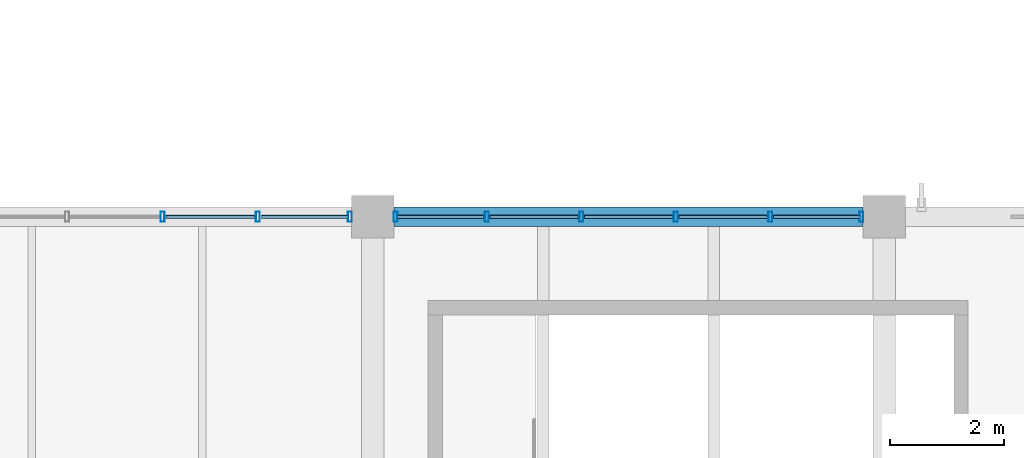
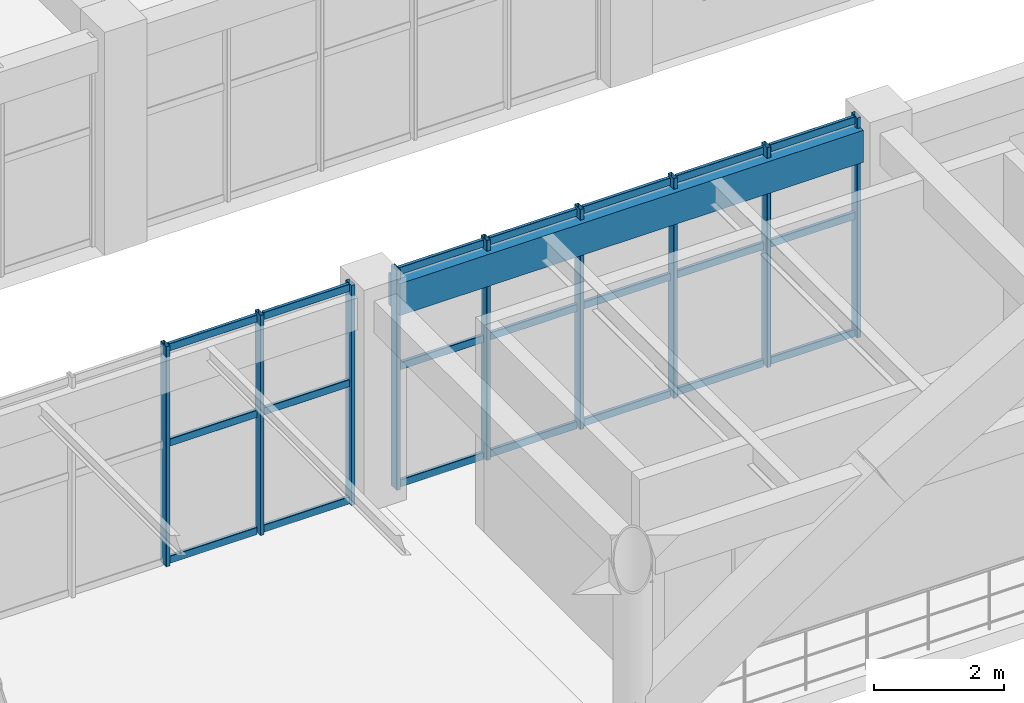
# One storey, part 59 of 148: 30 members, 1 beam, 2 elements without a shape of their own.
"""IFC4 building model written with IfcOpenShell, lengths in metres."""

import ifcopenshell
import ifcopenshell.guid

model = None  # the IFC model being written
_history = None  # IfcOwnerHistory: only IFC2X3 demands one
_inside = {}  # id of a spatial element -> (the spatial element, [elements in it])
_under = {}  # id of a project, library or spatial element -> (it, [spatial elements below it])
_declared = {}  # id of a project -> (the project, [libraries it declares])
_typed = {}  # id of a type object -> (the type object, [elements of that type])
_made_of = {}  # id of a material, layer set ... -> (it, [elements and type objects made of it])


def new_model(schema):
    """Start an empty IFC model of exactly this schema.

    Asked for "IFC4X3", IfcOpenShell would pick the latest addendum, in which some entities
    have other attributes; the version numbers below select the first issue.
    IFC2X3 requires an IfcOwnerHistory on every rooted entity: one is made here for all.
    """
    global model, _history
    if schema == "IFC4X3":
        model = ifcopenshell.file(schema_version=(4, 3, 0, 0))
    else:
        model = ifcopenshell.file(schema=schema)
    _inside.clear()
    _under.clear()
    _declared.clear()
    _typed.clear()
    _made_of.clear()
    _history = None
    if model.schema == "IFC2X3":
        org = make("IfcOrganization", Name="unknown")
        user = make(
            "IfcPersonAndOrganization",
            ThePerson=make("IfcPerson", FamilyName="unknown"),
            TheOrganization=org,
        )
        app = make(
            "IfcApplication",
            ApplicationDeveloper=org,
            Version="unknown",
            ApplicationFullName="unknown",
            ApplicationIdentifier="unknown",
        )
        _history = make(
            "IfcOwnerHistory",
            OwningUser=user,
            OwningApplication=app,
            ChangeAction="ADDED",
            CreationDate=0,
        )
    return model


def make(cls, **values):
    """One entity of the class cls with the attributes given. An attribute that is None is left unset."""
    return model.create_entity(
        cls, **{name: value for name, value in values.items() if value is not None}
    )


def rooted(cls, **values):
    """An entity with a GlobalId (a new one), such as an element, a storey or a relation."""
    return make(cls, GlobalId=ifcopenshell.guid.new(), OwnerHistory=_history, **values)


def si_unit(unit_type, name, prefix=None):
    """IfcSIUnit, for example si_unit("LENGTHUNIT", "METRE", prefix="MILLI")."""
    return make("IfcSIUnit", UnitType=unit_type, Prefix=prefix, Name=name)


def derived_unit(unit_type, elements):
    """IfcDerivedUnit: a product of units, each with its exponent."""
    return make(
        "IfcDerivedUnit",
        Elements=[
            make("IfcDerivedUnitElement", Unit=unit, Exponent=power)
            for unit, power in elements
        ],
        UnitType=unit_type,
    )


def assignment(units):
    """IfcUnitAssignment: the units of a project."""
    return None if units is None else make("IfcUnitAssignment", Units=units)


def point(xyz):
    """IfcCartesianPoint."""
    return None if xyz is None else make("IfcCartesianPoint", Coordinates=xyz)


def direction(xyz):
    """IfcDirection."""
    return None if xyz is None else make("IfcDirection", DirectionRatios=xyz)


def frame(location, z_axis=None, x_axis=None):
    """IfcAxis2Placement3D, a coordinate frame: its origin and axes. An axis left out is left unset."""
    return make(
        "IfcAxis2Placement3D",
        Location=point(location),
        Axis=direction(z_axis),
        RefDirection=direction(x_axis),
    )


def frame_2d(location, x_axis=None):
    """IfcAxis2Placement2D, a coordinate frame in the plane: its origin and x axis."""
    return make(
        "IfcAxis2Placement2D", Location=point(location), RefDirection=direction(x_axis)
    )


def origin():
    """The frame at (0, 0, 0) with its axes left unset."""
    return frame((0.0, 0.0, 0.0))


def origin_2d():
    """The frame at (0, 0) in the plane with its x axis left unset."""
    return frame_2d((0.0, 0.0))


def place(relative_to, where):
    """IfcLocalPlacement: puts the frame where relative to a parent placement (None: the world)."""
    return make(
        "IfcLocalPlacement", PlacementRelTo=relative_to, RelativePlacement=where
    )


def context(
    kind, dimensions, precision=None, world=None, true_north=None, identifier=None
):
    """IfcGeometricRepresentationContext, for example the 3D "Model" context."""
    return make(
        "IfcGeometricRepresentationContext",
        ContextIdentifier=identifier,
        ContextType=kind,
        CoordinateSpaceDimension=dimensions,
        Precision=precision,
        WorldCoordinateSystem=world,
        TrueNorth=true_north,
    )


def subcontext(parent, identifier, kind, view, scale=None):
    """IfcGeometricRepresentationSubContext, for example "Body" below "Model"."""
    return make(
        "IfcGeometricRepresentationSubContext",
        ContextIdentifier=identifier,
        ContextType=kind,
        ParentContext=parent,
        TargetScale=scale,
        TargetView=view,
    )


def project(units=None, contexts=None):
    """IfcProject with its units and contexts."""
    return rooted(
        "IfcProject",
        Name="project",
        RepresentationContexts=contexts,
        UnitsInContext=assignment(units),
    )


def spatial(cls, under=None, at=None, **own):
    """A site, building, storey or space (cls), placed at a placement, below another one or the project."""
    s = rooted(cls, ObjectPlacement=at, **own)
    if under is not None:
        _under.setdefault(under.id(), (under, []))[1].append(s)
    return s


def profile(cls, at=None, kind="AREA", **sizes):
    """A parametric profile (cls). Its sizes go by their IFC names, for example OverallWidth=200.0."""
    return make(cls, ProfileType=kind, Position=at, **sizes)


def rectangle(**sizes):
    """IfcRectangleProfileDef."""
    return profile("IfcRectangleProfileDef", **sizes)


def hollow_rectangle(**sizes):
    """IfcRectangleHollowProfileDef."""
    return profile("IfcRectangleHollowProfileDef", **sizes)


def extrude(swept, where, along, depth):
    """IfcExtrudedAreaSolid: the profile swept, set in the frame where, extruded along a direction by depth."""
    return make(
        "IfcExtrudedAreaSolid",
        SweptArea=swept,
        Position=where,
        ExtrudedDirection=direction(along),
        Depth=depth,
    )


def shape(context_of_items, identifier, shape_type, items):
    """IfcShapeRepresentation: the items that make up one representation, for example the "Body"."""
    return make(
        "IfcShapeRepresentation",
        ContextOfItems=context_of_items,
        RepresentationIdentifier=identifier,
        RepresentationType=shape_type,
        Items=items,
    )


def material(Name=None, Category=None):
    """IfcMaterial."""
    return make("IfcMaterial", Name=Name, Category=Category)


def material_profile(
    of_material, cross_section, Name=None, Category=None, Priority=None
):
    """IfcMaterialProfile: a cross section and its material."""
    return make(
        "IfcMaterialProfile",
        Name=Name,
        Material=of_material,
        Profile=cross_section,
        Priority=Priority,
        Category=Category,
    )


def profile_set(profiles, Name=None, composite=None):
    """IfcMaterialProfileSet."""
    return make(
        "IfcMaterialProfileSet",
        Name=Name,
        MaterialProfiles=profiles,
        CompositeProfile=composite,
    )


def made_of(thing, what):
    """Note that an element or type object is made of a material, layer set ...; save() writes the relation."""
    if what is not None:
        _made_of.setdefault(what.id(), (what, []))[1].append(thing)
    return thing


def type_object(cls, material=None, **own):
    """A type object (cls), such as IfcWallType, which elements share."""
    return made_of(rooted(cls, **own), material)


def element(
    cls,
    number,
    at=None,
    inside=None,
    cuts=None,
    type_object=None,
    material=None,
    context=None,
    identifier="Body",
    shape_type=None,
    held_by="IfcProductDefinitionShape",
    body=None,
    shapes=None,
    **own,
):
    """One element of the class cls, such as IfcWall. Its Tag is "e" and its number.

    at: its placement. inside: the storey or other place that contains it. cuts: it is an
    opening in that element (IfcRelVoidsElement). A single representation is given by context,
    identifier, shape_type and body (its items); several are given by shapes. held_by: the class
    of the entity that holds the representations. save() writes the other relations.
    """
    e = rooted(cls, Tag="e%d" % number, ObjectPlacement=at, **own)
    if body is not None:
        shapes = [shape(context, identifier, shape_type, body)]
    if shapes is not None:
        e.Representation = make(held_by, Representations=shapes)
    if inside is not None:
        _inside.setdefault(inside.id(), (inside, []))[1].append(e)
    if cuts is not None:
        rooted(
            "IfcRelVoidsElement", RelatingBuildingElement=cuts, RelatedOpeningElement=e
        )
    if type_object is not None:
        _typed.setdefault(type_object.id(), (type_object, []))[1].append(e)
    return made_of(e, material)


def aggregate(whole, parts):
    """IfcRelAggregates: a whole, such as a stair, and the parts it consists of."""
    return rooted("IfcRelAggregates", RelatingObject=whole, RelatedObjects=parts)


def save(model, path):
    """Write the relations noted so far, then the file.

    IfcRelAggregates (storeys below a building ...), IfcRelContainedInSpatialStructure (elements
    in a storey), IfcRelDefinesByType, IfcRelAssociatesMaterial and IfcRelDeclares: one each for
    every whole, place, type object, material and project.
    """
    for whole, parts in _under.values():
        aggregate(whole, parts)
    for where, things in _inside.values():
        rooted(
            "IfcRelContainedInSpatialStructure",
            RelatedElements=things,
            RelatingStructure=where,
        )
    for kind, things in _typed.values():
        rooted("IfcRelDefinesByType", RelatedObjects=things, RelatingType=kind)
    for what, things in _made_of.values():
        rooted("IfcRelAssociatesMaterial", RelatedObjects=things, RelatingMaterial=what)
    for by, libraries in _declared.values():
        rooted("IfcRelDeclares", RelatingContext=by, RelatedDefinitions=libraries)
    model.write(path)


model = new_model("IFC4")

# Units and contexts
model_context = context("Model", 3, precision=1e-05, world=origin(), true_north=direction((0.0, 1.0)))
body_context = subcontext(model_context, "Body", "Model", "MODEL_VIEW")
ifc_project = project(units=[si_unit("LENGTHUNIT", "METRE"), si_unit("AREAUNIT", "SQUARE_METRE"), si_unit("VOLUMEUNIT", "CUBIC_METRE"), si_unit("PLANEANGLEUNIT", "RADIAN"), si_unit("MASSUNIT", "GRAM", prefix="KILO"), derived_unit("THERMALTRANSMITTANCEUNIT", [(si_unit("MASSUNIT", "GRAM", prefix="KILO"), 1), (si_unit("TIMEUNIT", "SECOND"), -3), (si_unit("THERMODYNAMICTEMPERATUREUNIT", "KELVIN"), -1)])], contexts=[model_context])

# Site, building, storey
site_placement = place(None, origin())
site = spatial("IfcSite", under=ifc_project, at=site_placement, CompositionType="ELEMENT")
building_placement = place(site_placement, origin())
building = spatial("IfcBuilding", under=site, at=building_placement, Name="Zhenchuan Archway Interchange", CompositionType="ELEMENT")
storey_placement = place(building_placement, frame((0.0, 0.0, 10.199951171875)))
storey = spatial("IfcBuildingStorey", under=building, at=storey_placement, Name="L02", CompositionType="ELEMENT", Elevation=10.199951171875)

# Curtain wall, members
ifc_material_1 = material(Name="Anodised Aluminium", Category="aluminium")
curtain_wall_type_1 = type_object("IfcCurtainWallType", Name="CW_UNIT_1", PredefinedType="NOTDEFINED", material=ifc_material_1)
curtain_wall_1_placement = place(storey_placement, origin())
curtain_wall_1 = element("IfcCurtainWall", 1, at=curtain_wall_1_placement, inside=storey, type_object=curtain_wall_type_1, Name="Unitised curtain wall CW:L02:116", PredefinedType="NOTDEFINED")
ifc_material_profile_1 = material_profile(ifc_material_1, hollow_rectangle(XDim=0.070068359375, YDim=0.179931640625, WallThickness=0.00390625, InnerFilletRadius=0.00390625, OuterFilletRadius=0.008056640625, at=origin_2d()), Name="ALU 180x70x4")
ifc_profile_set_1 = profile_set([ifc_material_profile_1], Name="Anodised Aluminium")
member_type_1 = type_object("IfcMemberType", Name="CW_MUL_180", PredefinedType="MULLION", material=ifc_profile_set_1)
member_1_placement = place(storey_placement, frame((32.301513671875, 88.0, 0.0), z_axis=(0.0, 0.0, 1.0), x_axis=(1.0, 0.0, 0.0)))
member_1 = element("IfcMember", 2, at=member_1_placement, type_object=member_type_1, Name="CW:L02:116 mullion 3", PredefinedType="MULLION", context=body_context, shape_type="SweptSolid", body=[
    extrude(hollow_rectangle(XDim=0.070068359375, YDim=0.179931640625, WallThickness=0.00390625, InnerFilletRadius=0.00390625, OuterFilletRadius=0.008056640625, at=origin_2d()), origin(), (0.0, 0.0, 1.0), 4.14013671875),
])
member_2_placement = place(storey_placement, frame((33.979248046875, 88.0, 0.0), z_axis=(0.0, 0.0, 1.0), x_axis=(1.0, 0.0, 0.0)))
member_2 = element("IfcMember", 3, at=member_2_placement, type_object=member_type_1, Name="CW:L02:116 mullion 4", PredefinedType="MULLION", context=body_context, shape_type="SweptSolid", body=[
    extrude(hollow_rectangle(XDim=0.070068359375, YDim=0.179931640625, WallThickness=0.00390625, InnerFilletRadius=0.00390625, OuterFilletRadius=0.008056640625, at=origin_2d()), origin(), (0.0, 0.0, 1.0), 4.14013671875),
])
member_3_placement = place(storey_placement, frame((35.596923828125, 88.0, 0.0), z_axis=(0.0, 0.0, 1.0), x_axis=(1.0, 0.0, 0.0)))
member_3 = element("IfcMember", 4, at=member_3_placement, type_object=member_type_1, Name="CW:L02:116 mullion 5", PredefinedType="MULLION", context=body_context, shape_type="SweptSolid", body=[
    extrude(hollow_rectangle(XDim=0.070068359375, YDim=0.179931640625, WallThickness=0.00390625, InnerFilletRadius=0.00390625, OuterFilletRadius=0.008056640625, at=origin_2d()), origin(), (0.0, 0.0, 1.0), 4.14013671875),
])

curtain_wall_type_2 = type_object("IfcCurtainWallType", Name="CW_UNIT_2", PredefinedType="NOTDEFINED", material=ifc_material_1)
curtain_wall_2_placement = place(storey_placement, origin())
curtain_wall_2 = element("IfcCurtainWall", 5, at=curtain_wall_2_placement, inside=storey, type_object=curtain_wall_type_2, Name="Unitised curtain wall CW:L02:117", PredefinedType="NOTDEFINED")
member_4_placement = place(storey_placement, frame((36.403076171875, 88.0, 0.0), z_axis=(0.0, 0.0, 1.0), x_axis=(1.0, 0.0, 0.0)))
member_4 = element("IfcMember", 6, at=member_4_placement, type_object=member_type_1, Name="CW:L02:117 mullion 0", PredefinedType="MULLION", context=body_context, shape_type="SweptSolid", body=[
    extrude(hollow_rectangle(XDim=0.070068359375, YDim=0.179931640625, WallThickness=0.00390625, InnerFilletRadius=0.00390625, OuterFilletRadius=0.008056640625, at=origin_2d()), origin(), (0.0, 0.0, 1.0), 4.14013671875),
])
member_5_placement = place(storey_placement, frame((38.005859375, 88.0, 0.0), z_axis=(0.0, 0.0, 1.0), x_axis=(1.0, 0.0, 0.0)))
member_5 = element("IfcMember", 7, at=member_5_placement, type_object=member_type_1, Name="CW:L02:117 mullion 1", PredefinedType="MULLION", context=body_context, shape_type="SweptSolid", body=[
    extrude(hollow_rectangle(XDim=0.070068359375, YDim=0.179931640625, WallThickness=0.00390625, InnerFilletRadius=0.00390625, OuterFilletRadius=0.008056640625, at=origin_2d()), origin(), (0.0, 0.0, 1.0), 4.14013671875),
])
member_6_placement = place(storey_placement, frame((39.668701171875, 88.0, 0.0), z_axis=(0.0, 0.0, 1.0), x_axis=(1.0, 0.0, 0.0)))
member_6 = element("IfcMember", 8, at=member_6_placement, type_object=member_type_1, Name="CW:L02:117 mullion 2", PredefinedType="MULLION", context=body_context, shape_type="SweptSolid", body=[
    extrude(hollow_rectangle(XDim=0.070068359375, YDim=0.179931640625, WallThickness=0.00390625, InnerFilletRadius=0.00390625, OuterFilletRadius=0.008056640625, at=origin_2d()), origin(), (0.0, 0.0, 1.0), 4.14013671875),
])
member_7_placement = place(storey_placement, frame((41.331298828125, 88.0, 0.0), z_axis=(0.0, 0.0, 1.0), x_axis=(1.0, 0.0, 0.0)))
member_7 = element("IfcMember", 9, at=member_7_placement, type_object=member_type_1, Name="CW:L02:117 mullion 3", PredefinedType="MULLION", context=body_context, shape_type="SweptSolid", body=[
    extrude(hollow_rectangle(XDim=0.070068359375, YDim=0.179931640625, WallThickness=0.00390625, InnerFilletRadius=0.00390625, OuterFilletRadius=0.008056640625, at=origin_2d()), origin(), (0.0, 0.0, 1.0), 4.14013671875),
])
member_8_placement = place(storey_placement, frame((42.994140625, 88.0, 0.0), z_axis=(0.0, 0.0, 1.0), x_axis=(1.0, 0.0, 0.0)))
member_8 = element("IfcMember", 10, at=member_8_placement, type_object=member_type_1, Name="CW:L02:117 mullion 4", PredefinedType="MULLION", context=body_context, shape_type="SweptSolid", body=[
    extrude(hollow_rectangle(XDim=0.070068359375, YDim=0.179931640625, WallThickness=0.00390625, InnerFilletRadius=0.00390625, OuterFilletRadius=0.008056640625, at=origin_2d()), origin(), (0.0, 0.0, 1.0), 4.14013671875),
])
member_9_placement = place(storey_placement, frame((44.596923828125, 88.0, 0.0), z_axis=(0.0, 0.0, 1.0), x_axis=(1.0, 0.0, 0.0)))
member_9 = element("IfcMember", 11, at=member_9_placement, type_object=member_type_1, Name="CW:L02:117 mullion 5", PredefinedType="MULLION", context=body_context, shape_type="SweptSolid", body=[
    extrude(hollow_rectangle(XDim=0.070068359375, YDim=0.179931640625, WallThickness=0.00390625, InnerFilletRadius=0.00390625, OuterFilletRadius=0.008056640625, at=origin_2d()), origin(), (0.0, 0.0, 1.0), 4.14013671875),
])

# Member
ifc_material_profile_2 = material_profile(ifc_material_1, hollow_rectangle(XDim=0.06005859375, YDim=0.139892578125, WallThickness=0.00341796875, InnerFilletRadius=0.00341796875, OuterFilletRadius=0.007080078125, at=origin_2d()), Name="ALU 140x60x3.5")
ifc_profile_set_2 = profile_set([ifc_material_profile_2], Name="Anodised Aluminium")
member_type_2 = type_object("IfcMemberType", Name="CW_TRN_140", PredefinedType="USERDEFINED", material=ifc_profile_set_2)
member_10_placement = place(storey_placement, frame((32.361328125, 88.0, 0.06005859375), z_axis=(1.0, 0.0, 0.0), x_axis=(0.0, 1.0, 0.0)))
member_10 = element("IfcMember", 12, at=member_10_placement, type_object=member_type_2, Name="CW:L02:116 transom 3-1", ObjectType="TRANSOM", PredefinedType="USERDEFINED", context=body_context, shape_type="SweptSolid", body=[
    extrude(hollow_rectangle(XDim=0.06005859375, YDim=0.139892578125, WallThickness=0.00341796875, InnerFilletRadius=0.00341796875, OuterFilletRadius=0.007080078125, at=origin_2d()), origin(), (0.0, 0.0, 1.0), 1.557861328125),
])

member_11_placement = place(storey_placement, frame((32.361328125, 88.0, 2.26611328125), z_axis=(1.0, 0.0, 0.0), x_axis=(0.0, 1.0, 0.0)))
member_11 = element("IfcMember", 13, at=member_11_placement, type_object=member_type_2, Name="CW:L02:116 transom 3-2", ObjectType="TRANSOM", PredefinedType="USERDEFINED", context=body_context, shape_type="SweptSolid", body=[
    extrude(hollow_rectangle(XDim=0.06005859375, YDim=0.139892578125, WallThickness=0.00341796875, InnerFilletRadius=0.00341796875, OuterFilletRadius=0.007080078125, at=origin_2d()), origin(), (0.0, 0.0, 1.0), 1.557861328125),
])

member_12_placement = place(storey_placement, frame((32.361328125, 88.0, 4.06005859375), z_axis=(1.0, 0.0, 0.0), x_axis=(0.0, 1.0, 0.0)))
member_12 = element("IfcMember", 14, at=member_12_placement, type_object=member_type_2, Name="CW:L02:116 transom 3-3", ObjectType="TRANSOM", PredefinedType="USERDEFINED", context=body_context, shape_type="SweptSolid", body=[
    extrude(hollow_rectangle(XDim=0.06005859375, YDim=0.139892578125, WallThickness=0.00341796875, InnerFilletRadius=0.00341796875, OuterFilletRadius=0.007080078125, at=origin_2d()), origin(), (0.0, 0.0, 1.0), 1.557861328125),
])

member_13_placement = place(storey_placement, frame((34.039306640625, 88.0, 0.06005859375), z_axis=(1.0, 0.0, 0.0), x_axis=(0.0, 1.0, 0.0)))
member_13 = element("IfcMember", 15, at=member_13_placement, type_object=member_type_2, Name="CW:L02:116 transom 4-1", ObjectType="TRANSOM", PredefinedType="USERDEFINED", context=body_context, shape_type="SweptSolid", body=[
    extrude(hollow_rectangle(XDim=0.06005859375, YDim=0.139892578125, WallThickness=0.00341796875, InnerFilletRadius=0.00341796875, OuterFilletRadius=0.007080078125, at=origin_2d()), origin(), (0.0, 0.0, 1.0), 1.53759765625),
])

member_14_placement = place(storey_placement, frame((34.039306640625, 88.0, 2.26611328125), z_axis=(1.0, 0.0, 0.0), x_axis=(0.0, 1.0, 0.0)))
member_14 = element("IfcMember", 16, at=member_14_placement, type_object=member_type_2, Name="CW:L02:116 transom 4-2", ObjectType="TRANSOM", PredefinedType="USERDEFINED", context=body_context, shape_type="SweptSolid", body=[
    extrude(hollow_rectangle(XDim=0.06005859375, YDim=0.139892578125, WallThickness=0.00341796875, InnerFilletRadius=0.00341796875, OuterFilletRadius=0.007080078125, at=origin_2d()), origin(), (0.0, 0.0, 1.0), 1.53759765625),
])

member_15_placement = place(storey_placement, frame((34.039306640625, 88.0, 4.06005859375), z_axis=(1.0, 0.0, 0.0), x_axis=(0.0, 1.0, 0.0)))
member_15 = element("IfcMember", 17, at=member_15_placement, type_object=member_type_2, Name="CW:L02:116 transom 4-3", ObjectType="TRANSOM", PredefinedType="USERDEFINED", context=body_context, shape_type="SweptSolid", body=[
    extrude(hollow_rectangle(XDim=0.06005859375, YDim=0.139892578125, WallThickness=0.00341796875, InnerFilletRadius=0.00341796875, OuterFilletRadius=0.007080078125, at=origin_2d()), origin(), (0.0, 0.0, 1.0), 1.53759765625),
])

aggregate(curtain_wall_1, [member_1, member_2, member_3, member_10, member_11, member_12, member_13, member_14, member_15])

member_16_placement = place(storey_placement, frame((36.423095703125, 88.0, 0.06005859375), z_axis=(1.0, 0.0, 0.0), x_axis=(0.0, 1.0, 0.0)))
member_16 = element("IfcMember", 18, at=member_16_placement, type_object=member_type_2, Name="CW:L02:117 transom 0-1", ObjectType="TRANSOM", PredefinedType="USERDEFINED", context=body_context, shape_type="SweptSolid", body=[
    extrude(hollow_rectangle(XDim=0.06005859375, YDim=0.139892578125, WallThickness=0.00341796875, InnerFilletRadius=0.00341796875, OuterFilletRadius=0.007080078125, at=origin_2d()), origin(), (0.0, 0.0, 1.0), 1.522705078125),
])

member_17_placement = place(storey_placement, frame((36.423095703125, 88.0, 2.26611328125), z_axis=(1.0, 0.0, 0.0), x_axis=(0.0, 1.0, 0.0)))
member_17 = element("IfcMember", 19, at=member_17_placement, type_object=member_type_2, Name="CW:L02:117 transom 0-2", ObjectType="TRANSOM", PredefinedType="USERDEFINED", context=body_context, shape_type="SweptSolid", body=[
    extrude(hollow_rectangle(XDim=0.06005859375, YDim=0.139892578125, WallThickness=0.00341796875, InnerFilletRadius=0.00341796875, OuterFilletRadius=0.007080078125, at=origin_2d()), origin(), (0.0, 0.0, 1.0), 1.522705078125),
])

member_18_placement = place(storey_placement, frame((36.423095703125, 88.0, 4.06005859375), z_axis=(1.0, 0.0, 0.0), x_axis=(0.0, 1.0, 0.0)))
member_18 = element("IfcMember", 20, at=member_18_placement, type_object=member_type_2, Name="CW:L02:117 transom 0-3", ObjectType="TRANSOM", PredefinedType="USERDEFINED", context=body_context, shape_type="SweptSolid", body=[
    extrude(hollow_rectangle(XDim=0.06005859375, YDim=0.139892578125, WallThickness=0.00341796875, InnerFilletRadius=0.00341796875, OuterFilletRadius=0.007080078125, at=origin_2d()), origin(), (0.0, 0.0, 1.0), 1.522705078125),
])

member_19_placement = place(storey_placement, frame((38.06591796875, 88.0, 0.06005859375), z_axis=(1.0, 0.0, 0.0), x_axis=(0.0, 1.0, 0.0)))
member_19 = element("IfcMember", 21, at=member_19_placement, type_object=member_type_2, Name="CW:L02:117 transom 1-1", ObjectType="TRANSOM", PredefinedType="USERDEFINED", context=body_context, shape_type="SweptSolid", body=[
    extrude(hollow_rectangle(XDim=0.06005859375, YDim=0.139892578125, WallThickness=0.00341796875, InnerFilletRadius=0.00341796875, OuterFilletRadius=0.007080078125, at=origin_2d()), origin(), (0.0, 0.0, 1.0), 1.542724609375),
])

member_20_placement = place(storey_placement, frame((38.06591796875, 88.0, 2.26611328125), z_axis=(1.0, 0.0, 0.0), x_axis=(0.0, 1.0, 0.0)))
member_20 = element("IfcMember", 22, at=member_20_placement, type_object=member_type_2, Name="CW:L02:117 transom 1-2", ObjectType="TRANSOM", PredefinedType="USERDEFINED", context=body_context, shape_type="SweptSolid", body=[
    extrude(hollow_rectangle(XDim=0.06005859375, YDim=0.139892578125, WallThickness=0.00341796875, InnerFilletRadius=0.00341796875, OuterFilletRadius=0.007080078125, at=origin_2d()), origin(), (0.0, 0.0, 1.0), 1.542724609375),
])

member_21_placement = place(storey_placement, frame((38.06591796875, 88.0, 4.06005859375), z_axis=(1.0, 0.0, 0.0), x_axis=(0.0, 1.0, 0.0)))
member_21 = element("IfcMember", 23, at=member_21_placement, type_object=member_type_2, Name="CW:L02:117 transom 1-3", ObjectType="TRANSOM", PredefinedType="USERDEFINED", context=body_context, shape_type="SweptSolid", body=[
    extrude(hollow_rectangle(XDim=0.06005859375, YDim=0.139892578125, WallThickness=0.00341796875, InnerFilletRadius=0.00341796875, OuterFilletRadius=0.007080078125, at=origin_2d()), origin(), (0.0, 0.0, 1.0), 1.542724609375),
])

member_22_placement = place(storey_placement, frame((39.728515625, 88.0, 0.06005859375), z_axis=(1.0, 0.0, 0.0), x_axis=(0.0, 1.0, 0.0)))
member_22 = element("IfcMember", 24, at=member_22_placement, type_object=member_type_2, Name="CW:L02:117 transom 2-1", ObjectType="TRANSOM", PredefinedType="USERDEFINED", context=body_context, shape_type="SweptSolid", body=[
    extrude(hollow_rectangle(XDim=0.06005859375, YDim=0.139892578125, WallThickness=0.00341796875, InnerFilletRadius=0.00341796875, OuterFilletRadius=0.007080078125, at=origin_2d()), origin(), (0.0, 0.0, 1.0), 1.54296875),
])

member_23_placement = place(storey_placement, frame((39.728515625, 88.0, 2.26611328125), z_axis=(1.0, 0.0, 0.0), x_axis=(0.0, 1.0, 0.0)))
member_23 = element("IfcMember", 25, at=member_23_placement, type_object=member_type_2, Name="CW:L02:117 transom 2-2", ObjectType="TRANSOM", PredefinedType="USERDEFINED", context=body_context, shape_type="SweptSolid", body=[
    extrude(hollow_rectangle(XDim=0.06005859375, YDim=0.139892578125, WallThickness=0.00341796875, InnerFilletRadius=0.00341796875, OuterFilletRadius=0.007080078125, at=origin_2d()), origin(), (0.0, 0.0, 1.0), 1.54296875),
])

member_24_placement = place(storey_placement, frame((39.728515625, 88.0, 4.06005859375), z_axis=(1.0, 0.0, 0.0), x_axis=(0.0, 1.0, 0.0)))
member_24 = element("IfcMember", 26, at=member_24_placement, type_object=member_type_2, Name="CW:L02:117 transom 2-3", ObjectType="TRANSOM", PredefinedType="USERDEFINED", context=body_context, shape_type="SweptSolid", body=[
    extrude(hollow_rectangle(XDim=0.06005859375, YDim=0.139892578125, WallThickness=0.00341796875, InnerFilletRadius=0.00341796875, OuterFilletRadius=0.007080078125, at=origin_2d()), origin(), (0.0, 0.0, 1.0), 1.54296875),
])

member_25_placement = place(storey_placement, frame((41.391357421875, 88.0, 0.06005859375), z_axis=(1.0, 0.0, 0.0), x_axis=(0.0, 1.0, 0.0)))
member_25 = element("IfcMember", 27, at=member_25_placement, type_object=member_type_2, Name="CW:L02:117 transom 3-1", ObjectType="TRANSOM", PredefinedType="USERDEFINED", context=body_context, shape_type="SweptSolid", body=[
    extrude(hollow_rectangle(XDim=0.06005859375, YDim=0.139892578125, WallThickness=0.00341796875, InnerFilletRadius=0.00341796875, OuterFilletRadius=0.007080078125, at=origin_2d()), origin(), (0.0, 0.0, 1.0), 1.542724609375),
])

member_26_placement = place(storey_placement, frame((41.391357421875, 88.0, 2.26611328125), z_axis=(1.0, 0.0, 0.0), x_axis=(0.0, 1.0, 0.0)))
member_26 = element("IfcMember", 28, at=member_26_placement, type_object=member_type_2, Name="CW:L02:117 transom 3-2", ObjectType="TRANSOM", PredefinedType="USERDEFINED", context=body_context, shape_type="SweptSolid", body=[
    extrude(hollow_rectangle(XDim=0.06005859375, YDim=0.139892578125, WallThickness=0.00341796875, InnerFilletRadius=0.00341796875, OuterFilletRadius=0.007080078125, at=origin_2d()), origin(), (0.0, 0.0, 1.0), 1.542724609375),
])

member_27_placement = place(storey_placement, frame((41.391357421875, 88.0, 4.06005859375), z_axis=(1.0, 0.0, 0.0), x_axis=(0.0, 1.0, 0.0)))
member_27 = element("IfcMember", 29, at=member_27_placement, type_object=member_type_2, Name="CW:L02:117 transom 3-3", ObjectType="TRANSOM", PredefinedType="USERDEFINED", context=body_context, shape_type="SweptSolid", body=[
    extrude(hollow_rectangle(XDim=0.06005859375, YDim=0.139892578125, WallThickness=0.00341796875, InnerFilletRadius=0.00341796875, OuterFilletRadius=0.007080078125, at=origin_2d()), origin(), (0.0, 0.0, 1.0), 1.542724609375),
])

member_28_placement = place(storey_placement, frame((43.05419921875, 88.0, 0.06005859375), z_axis=(1.0, 0.0, 0.0), x_axis=(0.0, 1.0, 0.0)))
member_28 = element("IfcMember", 30, at=member_28_placement, type_object=member_type_2, Name="CW:L02:117 transom 4-1", ObjectType="TRANSOM", PredefinedType="USERDEFINED", context=body_context, shape_type="SweptSolid", body=[
    extrude(hollow_rectangle(XDim=0.06005859375, YDim=0.139892578125, WallThickness=0.00341796875, InnerFilletRadius=0.00341796875, OuterFilletRadius=0.007080078125, at=origin_2d()), origin(), (0.0, 0.0, 1.0), 1.522705078125),
])

member_29_placement = place(storey_placement, frame((43.05419921875, 88.0, 2.26611328125), z_axis=(1.0, 0.0, 0.0), x_axis=(0.0, 1.0, 0.0)))
member_29 = element("IfcMember", 31, at=member_29_placement, type_object=member_type_2, Name="CW:L02:117 transom 4-2", ObjectType="TRANSOM", PredefinedType="USERDEFINED", context=body_context, shape_type="SweptSolid", body=[
    extrude(hollow_rectangle(XDim=0.06005859375, YDim=0.139892578125, WallThickness=0.00341796875, InnerFilletRadius=0.00341796875, OuterFilletRadius=0.007080078125, at=origin_2d()), origin(), (0.0, 0.0, 1.0), 1.522705078125),
])

member_30_placement = place(storey_placement, frame((43.05419921875, 88.0, 4.06005859375), z_axis=(1.0, 0.0, 0.0), x_axis=(0.0, 1.0, 0.0)))
member_30 = element("IfcMember", 32, at=member_30_placement, type_object=member_type_2, Name="CW:L02:117 transom 4-3", ObjectType="TRANSOM", PredefinedType="USERDEFINED", context=body_context, shape_type="SweptSolid", body=[
    extrude(hollow_rectangle(XDim=0.06005859375, YDim=0.139892578125, WallThickness=0.00341796875, InnerFilletRadius=0.00341796875, OuterFilletRadius=0.007080078125, at=origin_2d()), origin(), (0.0, 0.0, 1.0), 1.522705078125),
])

aggregate(curtain_wall_2, [member_4, member_5, member_6, member_7, member_8, member_9, member_16, member_17, member_18, member_19, member_20, member_21, member_22, member_23, member_24, member_25, member_26, member_27, member_28, member_29, member_30])

# Beam
ifc_material_2 = material(Name="Concrete C40", Category="concrete")
ifc_material_profile_3 = material_profile(ifc_material_2, rectangle(XDim=0.35009765625, YDim=0.60009765625, at=origin_2d()), Name="RC 350x600")
ifc_profile_set_3 = profile_set([ifc_material_profile_3], Name="Concrete C40")
beam_type = type_object("IfcBeamType", Name="SP_RC_350x600", PredefinedType="SPANDREL", material=ifc_profile_set_3)
beam_placement = place(storey_placement, frame((36.375, 88.0, 3.64013671875), z_axis=(1.0, 0.0, 0.0), x_axis=(0.0, 1.0, 0.0)))
element("IfcBeam", 33, at=beam_placement, inside=storey, type_object=beam_type, Name="Beam M:5-6 (L02)", PredefinedType="SPANDREL", context=body_context, shape_type="SweptSolid", body=[
    extrude(rectangle(XDim=0.35009765625, YDim=0.60009765625, at=origin_2d()), origin(), (0.0, 0.0, 1.0), 8.25),
])

save(model, "model.ifc")
